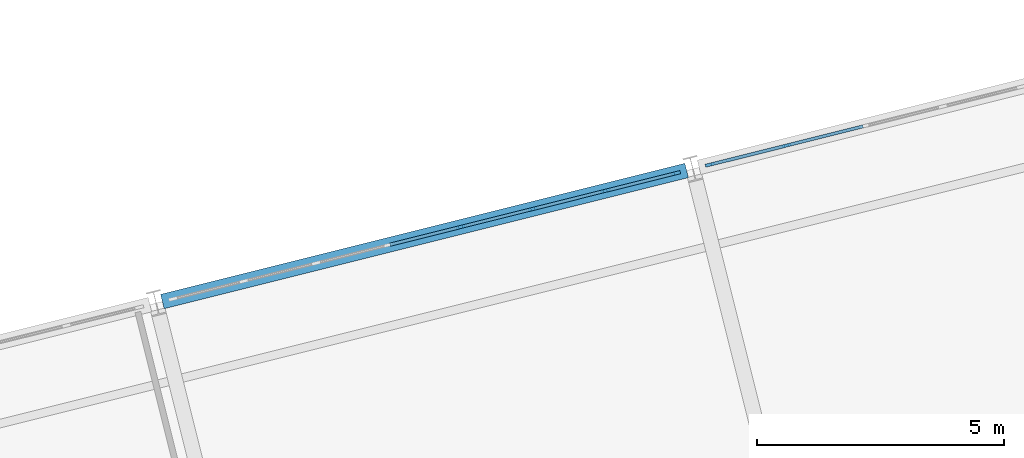
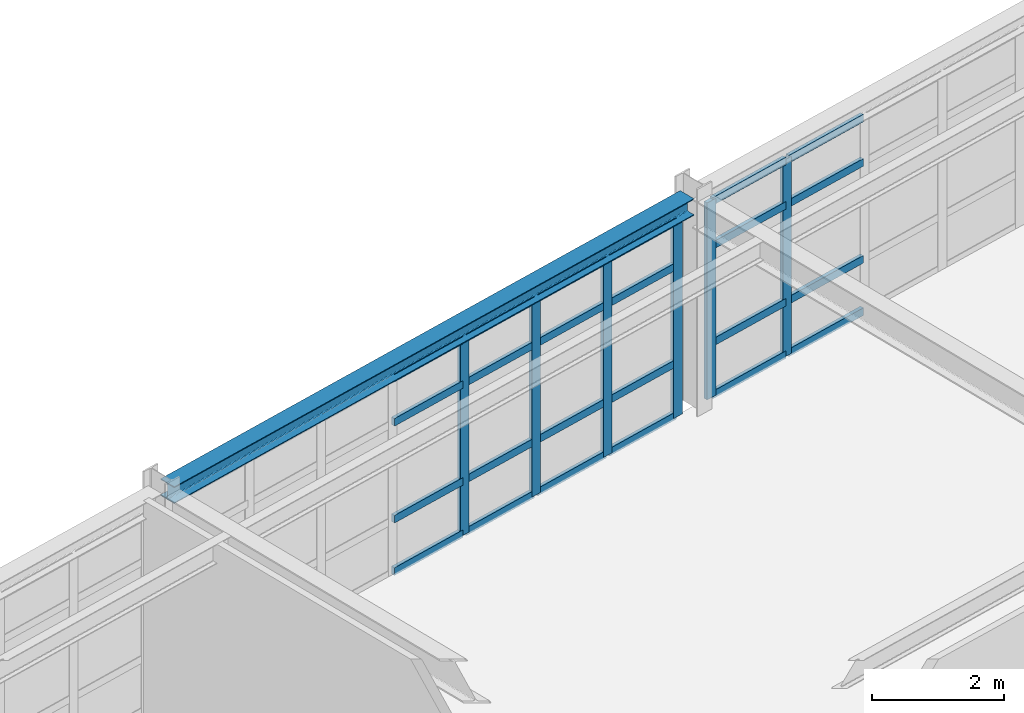
# One storey, part 31 of 88: 30 members, 1 beam, 2 elements without a shape of their own.
"""IFC4 building model written with IfcOpenShell, lengths in metres."""

from ifc_helpers import new_model, si_unit, direction, frame, origin, origin_2d, place, context, subcontext, project, spatial, rectangle, i_section, extrude, material, layer, layer_set, material_profile, profile_set, type_object, element, aggregate, save


model = new_model("IFC4")

# Units and contexts
model_context = context("Model", 3, precision=1e-05, world=origin(), true_north=direction((0.0, 1.0)))
body_context = subcontext(model_context, "Body", "Model", "MODEL_VIEW")
ifc_project = project(units=[si_unit("LENGTHUNIT", "METRE"), si_unit("AREAUNIT", "SQUARE_METRE"), si_unit("VOLUMEUNIT", "CUBIC_METRE"), si_unit("PLANEANGLEUNIT", "RADIAN"), si_unit("MASSUNIT", "GRAM", prefix="KILO")], contexts=[model_context])

# Site, building, storey
site_placement = place(None, origin())
site = spatial("IfcSite", under=ifc_project, at=site_placement, CompositionType="ELEMENT")
building_placement = place(site_placement, origin())
building = spatial("IfcBuilding", under=site, at=building_placement, Name="Nordkorset Police Headquarters", CompositionType="ELEMENT")
storey_placement = place(building_placement, frame((0.0, 0.0, 9.449951171875)))
storey = spatial("IfcBuildingStorey", under=building, at=storey_placement, Name="L02", CompositionType="ELEMENT", Elevation=9.449951171875)

# Curtain wall, members
ifc_material_1 = material(Name="Aluminium alloy AW-6060", Category="aluminium")
ifc_layer_1 = layer(ifc_material_1, 0.179931640625, Name="Aluminium alloy AW-6060")
ifc_layer_set_1 = layer_set([ifc_layer_1], Name="Aluminium alloy AW-6060")
curtain_wall_type_1 = type_object("IfcCurtainWallType", Name="CW_Unit_1056x364", PredefinedType="USERDEFINED", material=ifc_layer_set_1)
curtain_wall_1_placement = place(storey_placement, origin())
curtain_wall_1 = element("IfcCurtainWall", 1, at=curtain_wall_1_placement, inside=storey, type_object=curtain_wall_type_1, Name="Unitised Curtain Wall L02 V4N-3", ObjectType="UNITISED CURTAIN WALL", PredefinedType="USERDEFINED")
ifc_material_2 = material(Name="Aluminium alloy AW-6060", Category="aluminium")
ifc_material_profile_1 = material_profile(ifc_material_2, rectangle(XDim=0.06494140625, YDim=0.179931640625, at=origin_2d()), Name="ALU MULL 65x180")
ifc_profile_set_1 = profile_set([ifc_material_profile_1], Name="Aluminium alloy AW-6060")
member_type_1 = type_object("IfcMemberType", Name="CW_Mullion_65x180", PredefinedType="MULLION", material=ifc_profile_set_1)
member_1_placement = place(storey_placement, frame((54.212158203125, 64.496337890625, 0.0), z_axis=(0.0, 0.0, 1.0), x_axis=(-0.242536070676, 0.970142388735, 0.0)))
member_1 = element("IfcMember", 2, at=member_1_placement, type_object=member_type_1, Name="CW-31 mullion 5", PredefinedType="MULLION", context=body_context, shape_type="SweptSolid", body=[
    extrude(rectangle(XDim=0.06494140625, YDim=0.179931640625, at=origin_2d()), origin(), (0.0, 0.0, 1.0), 3.64013671875),
])
member_2_placement = place(storey_placement, frame((55.67578125, 64.862060546875, 0.0), z_axis=(0.0, 0.0, 1.0), x_axis=(-0.242536070676, 0.970142388735, 0.0)))
member_2 = element("IfcMember", 3, at=member_2_placement, type_object=member_type_1, Name="CW-31 mullion 6", PredefinedType="MULLION", context=body_context, shape_type="SweptSolid", body=[
    extrude(rectangle(XDim=0.06494140625, YDim=0.179931640625, at=origin_2d()), origin(), (0.0, 0.0, 1.0), 3.64013671875),
])
member_3_placement = place(storey_placement, frame((57.13916015625, 65.22802734375, 0.0), z_axis=(0.0, 0.0, 1.0), x_axis=(-0.242536070676, 0.970142388735, 0.0)))
member_3 = element("IfcMember", 4, at=member_3_placement, type_object=member_type_1, Name="CW-31 mullion 7", PredefinedType="MULLION", context=body_context, shape_type="SweptSolid", body=[
    extrude(rectangle(XDim=0.06494140625, YDim=0.179931640625, at=origin_2d()), origin(), (0.0, 0.0, 1.0), 3.64013671875),
])
member_4_placement = place(storey_placement, frame((58.5712890625, 65.5859375, 0.0), z_axis=(0.0, 0.0, 1.0), x_axis=(-0.242536070676, 0.970142388735, 0.0)))
member_4 = element("IfcMember", 5, at=member_4_placement, type_object=member_type_1, Name="CW-31 mullion 8", PredefinedType="MULLION", context=body_context, shape_type="SweptSolid", body=[
    extrude(rectangle(XDim=0.06494140625, YDim=0.179931640625, at=origin_2d()), origin(), (0.0, 0.0, 1.0), 3.64013671875),
])

ifc_material_3 = material(Name="Aluminium alloy AW-6060", Category="aluminium")
ifc_layer_2 = layer(ifc_material_3, 0.179931640625, Name="Aluminium alloy AW-6060")
ifc_layer_set_2 = layer_set([ifc_layer_2], Name="Aluminium alloy AW-6060")
curtain_wall_type_2 = type_object("IfcCurtainWallType", Name="CW_Unit_816x364", PredefinedType="USERDEFINED", material=ifc_layer_set_2)
curtain_wall_2_placement = place(storey_placement, origin())
curtain_wall_2 = element("IfcCurtainWall", 6, at=curtain_wall_2_placement, inside=storey, type_object=curtain_wall_type_2, Name="Unitised Curtain Wall L02 V4N-4", ObjectType="UNITISED CURTAIN WALL", PredefinedType="USERDEFINED")
member_5_placement = place(storey_placement, frame((59.255126953125, 65.757080078125, 0.0), z_axis=(0.0, 0.0, 1.0), x_axis=(-0.242535336683, 0.970142572234, 0.0)))
member_5 = element("IfcMember", 7, at=member_5_placement, type_object=member_type_1, Name="CW-64 mullion 1", PredefinedType="MULLION", context=body_context, shape_type="SweptSolid", body=[
    extrude(rectangle(XDim=0.06494140625, YDim=0.179931640625, at=origin_2d()), origin(), (0.0, 0.0, 1.0), 3.64013671875),
])
member_6_placement = place(storey_placement, frame((60.806884765625, 66.14501953125, 0.0), z_axis=(0.0, 0.0, 1.0), x_axis=(-0.242535336683, 0.970142572234, 0.0)))
member_6 = element("IfcMember", 8, at=member_6_placement, type_object=member_type_1, Name="CW-64 mullion 2", PredefinedType="MULLION", context=body_context, shape_type="SweptSolid", body=[
    extrude(rectangle(XDim=0.06494140625, YDim=0.179931640625, at=origin_2d()), origin(), (0.0, 0.0, 1.0), 3.64013671875),
])

# Member
ifc_material_4 = material(Name="Aluminium alloy AW-6060", Category="aluminium")
ifc_material_profile_2 = material_profile(ifc_material_4, rectangle(XDim=0.06494140625, YDim=0.139892578125, at=origin_2d()), Name="ALU TRAN 65x140")
ifc_profile_set_2 = profile_set([ifc_material_profile_2], Name="Aluminium alloy AW-6060")
member_type_2 = type_object("IfcMemberType", Name="CW_Transom_65x140", PredefinedType="USERDEFINED", material=ifc_profile_set_2)
member_7_placement = place(storey_placement, frame((52.7802734375, 64.13818359375, 0.032470703125), z_axis=(0.970142500145, 0.242535625036, 0.0), x_axis=(-0.242535625036, 0.970142500145, 0.0)))
member_7 = element("IfcMember", 9, at=member_7_placement, type_object=member_type_2, Name="CW-31 transom 4.1", ObjectType="TRANSOM", PredefinedType="USERDEFINED", context=body_context, shape_type="SweptSolid", body=[
    extrude(rectangle(XDim=0.06494140625, YDim=0.139892578125, at=origin_2d()), origin(), (0.0, 0.0, 1.0), 1.443603515625),
])

member_8_placement = place(storey_placement, frame((52.7802734375, 64.13818359375, 1.0), z_axis=(0.970142500145, 0.242535625036, 0.0), x_axis=(-0.242535625036, 0.970142500145, 0.0)))
member_8 = element("IfcMember", 10, at=member_8_placement, type_object=member_type_2, Name="CW-31 transom 4.2", ObjectType="TRANSOM", PredefinedType="USERDEFINED", context=body_context, shape_type="SweptSolid", body=[
    extrude(rectangle(XDim=0.06494140625, YDim=0.139892578125, at=origin_2d()), origin(), (0.0, 0.0, 1.0), 1.443603515625),
])

member_9_placement = place(storey_placement, frame((52.7802734375, 64.13818359375, 2.7900390625), z_axis=(0.970142500145, 0.242535625036, 0.0), x_axis=(-0.242535625036, 0.970142500145, 0.0)))
member_9 = element("IfcMember", 11, at=member_9_placement, type_object=member_type_2, Name="CW-31 transom 4.3", ObjectType="TRANSOM", PredefinedType="USERDEFINED", context=body_context, shape_type="SweptSolid", body=[
    extrude(rectangle(XDim=0.06494140625, YDim=0.139892578125, at=origin_2d()), origin(), (0.0, 0.0, 1.0), 1.443603515625),
])

member_10_placement = place(storey_placement, frame((52.7802734375, 64.13818359375, 3.607666015625), z_axis=(0.970142500145, 0.242535625036, 0.0), x_axis=(-0.242535625036, 0.970142500145, 0.0)))
member_10 = element("IfcMember", 12, at=member_10_placement, type_object=member_type_2, Name="CW-31 transom 4.4", ObjectType="TRANSOM", PredefinedType="USERDEFINED", context=body_context, shape_type="SweptSolid", body=[
    extrude(rectangle(XDim=0.06494140625, YDim=0.139892578125, at=origin_2d()), origin(), (0.0, 0.0, 1.0), 1.443603515625),
])

member_11_placement = place(storey_placement, frame((54.24365234375, 64.504150390625, 0.032470703125), z_axis=(0.970142500145, 0.242535625036, 0.0), x_axis=(-0.242535625036, 0.970142500145, 0.0)))
member_11 = element("IfcMember", 13, at=member_11_placement, type_object=member_type_2, Name="CW-31 transom 5.1", ObjectType="TRANSOM", PredefinedType="USERDEFINED", context=body_context, shape_type="SweptSolid", body=[
    extrude(rectangle(XDim=0.06494140625, YDim=0.139892578125, at=origin_2d()), origin(), (0.0, 0.0, 1.0), 1.443603515625),
])

member_12_placement = place(storey_placement, frame((54.24365234375, 64.504150390625, 1.0), z_axis=(0.970142500145, 0.242535625036, 0.0), x_axis=(-0.242535625036, 0.970142500145, 0.0)))
member_12 = element("IfcMember", 14, at=member_12_placement, type_object=member_type_2, Name="CW-31 transom 5.2", ObjectType="TRANSOM", PredefinedType="USERDEFINED", context=body_context, shape_type="SweptSolid", body=[
    extrude(rectangle(XDim=0.06494140625, YDim=0.139892578125, at=origin_2d()), origin(), (0.0, 0.0, 1.0), 1.443603515625),
])

member_13_placement = place(storey_placement, frame((54.24365234375, 64.504150390625, 2.7900390625), z_axis=(0.970142500145, 0.242535625036, 0.0), x_axis=(-0.242535625036, 0.970142500145, 0.0)))
member_13 = element("IfcMember", 15, at=member_13_placement, type_object=member_type_2, Name="CW-31 transom 5.3", ObjectType="TRANSOM", PredefinedType="USERDEFINED", context=body_context, shape_type="SweptSolid", body=[
    extrude(rectangle(XDim=0.06494140625, YDim=0.139892578125, at=origin_2d()), origin(), (0.0, 0.0, 1.0), 1.443603515625),
])

member_14_placement = place(storey_placement, frame((54.24365234375, 64.504150390625, 3.607666015625), z_axis=(0.970142500145, 0.242535625036, 0.0), x_axis=(-0.242535625036, 0.970142500145, 0.0)))
member_14 = element("IfcMember", 16, at=member_14_placement, type_object=member_type_2, Name="CW-31 transom 5.4", ObjectType="TRANSOM", PredefinedType="USERDEFINED", context=body_context, shape_type="SweptSolid", body=[
    extrude(rectangle(XDim=0.06494140625, YDim=0.139892578125, at=origin_2d()), origin(), (0.0, 0.0, 1.0), 1.443603515625),
])

member_15_placement = place(storey_placement, frame((55.707275390625, 64.869873046875, 0.032470703125), z_axis=(0.9701026929, 0.24269479852, 0.0), x_axis=(-0.24269479852, 0.9701026929, 0.0)))
member_15 = element("IfcMember", 17, at=member_15_placement, type_object=member_type_2, Name="CW-31 transom 6.1", ObjectType="TRANSOM", PredefinedType="USERDEFINED", context=body_context, shape_type="SweptSolid", body=[
    extrude(rectangle(XDim=0.06494140625, YDim=0.139892578125, at=origin_2d()), origin(), (0.0, 0.0, 1.0), 1.443603515625),
])

member_16_placement = place(storey_placement, frame((55.707275390625, 64.869873046875, 1.0), z_axis=(0.9701026929, 0.24269479852, 0.0), x_axis=(-0.24269479852, 0.9701026929, 0.0)))
member_16 = element("IfcMember", 18, at=member_16_placement, type_object=member_type_2, Name="CW-31 transom 6.2", ObjectType="TRANSOM", PredefinedType="USERDEFINED", context=body_context, shape_type="SweptSolid", body=[
    extrude(rectangle(XDim=0.06494140625, YDim=0.139892578125, at=origin_2d()), origin(), (0.0, 0.0, 1.0), 1.443603515625),
])

member_17_placement = place(storey_placement, frame((55.707275390625, 64.869873046875, 2.7900390625), z_axis=(0.9701026929, 0.24269479852, 0.0), x_axis=(-0.24269479852, 0.9701026929, 0.0)))
member_17 = element("IfcMember", 19, at=member_17_placement, type_object=member_type_2, Name="CW-31 transom 6.3", ObjectType="TRANSOM", PredefinedType="USERDEFINED", context=body_context, shape_type="SweptSolid", body=[
    extrude(rectangle(XDim=0.06494140625, YDim=0.139892578125, at=origin_2d()), origin(), (0.0, 0.0, 1.0), 1.443603515625),
])

member_18_placement = place(storey_placement, frame((55.707275390625, 64.869873046875, 3.607666015625), z_axis=(0.9701026929, 0.24269479852, 0.0), x_axis=(-0.24269479852, 0.9701026929, 0.0)))
member_18 = element("IfcMember", 20, at=member_18_placement, type_object=member_type_2, Name="CW-31 transom 6.4", ObjectType="TRANSOM", PredefinedType="USERDEFINED", context=body_context, shape_type="SweptSolid", body=[
    extrude(rectangle(XDim=0.06494140625, YDim=0.139892578125, at=origin_2d()), origin(), (0.0, 0.0, 1.0), 1.443603515625),
])

member_19_placement = place(storey_placement, frame((57.170654296875, 65.23583984375, 0.032470703125), z_axis=(0.970142500145, 0.242535625036, 0.0), x_axis=(-0.242535625036, 0.970142500145, 0.0)))
member_19 = element("IfcMember", 21, at=member_19_placement, type_object=member_type_2, Name="CW-31 transom 7.1", ObjectType="TRANSOM", PredefinedType="USERDEFINED", context=body_context, shape_type="SweptSolid", body=[
    extrude(rectangle(XDim=0.06494140625, YDim=0.139892578125, at=origin_2d()), origin(), (0.0, 0.0, 1.0), 1.411376953125),
])

member_20_placement = place(storey_placement, frame((57.170654296875, 65.23583984375, 1.0), z_axis=(0.970142500145, 0.242535625036, 0.0), x_axis=(-0.242535625036, 0.970142500145, 0.0)))
member_20 = element("IfcMember", 22, at=member_20_placement, type_object=member_type_2, Name="CW-31 transom 7.2", ObjectType="TRANSOM", PredefinedType="USERDEFINED", context=body_context, shape_type="SweptSolid", body=[
    extrude(rectangle(XDim=0.06494140625, YDim=0.139892578125, at=origin_2d()), origin(), (0.0, 0.0, 1.0), 1.411376953125),
])

member_21_placement = place(storey_placement, frame((57.170654296875, 65.23583984375, 2.7900390625), z_axis=(0.970142500145, 0.242535625036, 0.0), x_axis=(-0.242535625036, 0.970142500145, 0.0)))
member_21 = element("IfcMember", 23, at=member_21_placement, type_object=member_type_2, Name="CW-31 transom 7.3", ObjectType="TRANSOM", PredefinedType="USERDEFINED", context=body_context, shape_type="SweptSolid", body=[
    extrude(rectangle(XDim=0.06494140625, YDim=0.139892578125, at=origin_2d()), origin(), (0.0, 0.0, 1.0), 1.411376953125),
])

member_22_placement = place(storey_placement, frame((57.170654296875, 65.23583984375, 3.607666015625), z_axis=(0.970142500145, 0.242535625036, 0.0), x_axis=(-0.242535625036, 0.970142500145, 0.0)))
member_22 = element("IfcMember", 24, at=member_22_placement, type_object=member_type_2, Name="CW-31 transom 7.4", ObjectType="TRANSOM", PredefinedType="USERDEFINED", context=body_context, shape_type="SweptSolid", body=[
    extrude(rectangle(XDim=0.06494140625, YDim=0.139892578125, at=origin_2d()), origin(), (0.0, 0.0, 1.0), 1.411376953125),
])

aggregate(curtain_wall_1, [member_1, member_2, member_3, member_4, member_7, member_8, member_9, member_10, member_11, member_12, member_13, member_14, member_15, member_16, member_17, member_18, member_19, member_20, member_21, member_22])

member_23_placement = place(storey_placement, frame((59.28662109375, 65.764892578125, 0.032470703125), z_axis=(0.970161214313, 0.242460756086, 0.0), x_axis=(-0.242460756086, 0.970161214313, 0.0)))
member_23 = element("IfcMember", 25, at=member_23_placement, type_object=member_type_2, Name="CW-64 transom 1.1", ObjectType="TRANSOM", PredefinedType="USERDEFINED", context=body_context, shape_type="SweptSolid", body=[
    extrude(rectangle(XDim=0.06494140625, YDim=0.139892578125, at=origin_2d()), origin(), (0.0, 0.0, 1.0), 1.53466796875),
])

member_24_placement = place(storey_placement, frame((59.28662109375, 65.764892578125, 1.0), z_axis=(0.970161214313, 0.242460756086, 0.0), x_axis=(-0.242460756086, 0.970161214313, 0.0)))
member_24 = element("IfcMember", 26, at=member_24_placement, type_object=member_type_2, Name="CW-64 transom 1.2", ObjectType="TRANSOM", PredefinedType="USERDEFINED", context=body_context, shape_type="SweptSolid", body=[
    extrude(rectangle(XDim=0.06494140625, YDim=0.139892578125, at=origin_2d()), origin(), (0.0, 0.0, 1.0), 1.53466796875),
])

member_25_placement = place(storey_placement, frame((59.28662109375, 65.764892578125, 2.7900390625), z_axis=(0.970161214313, 0.242460756086, 0.0), x_axis=(-0.242460756086, 0.970161214313, 0.0)))
member_25 = element("IfcMember", 27, at=member_25_placement, type_object=member_type_2, Name="CW-64 transom 1.3", ObjectType="TRANSOM", PredefinedType="USERDEFINED", context=body_context, shape_type="SweptSolid", body=[
    extrude(rectangle(XDim=0.06494140625, YDim=0.139892578125, at=origin_2d()), origin(), (0.0, 0.0, 1.0), 1.53466796875),
])

member_26_placement = place(storey_placement, frame((59.28662109375, 65.764892578125, 3.607666015625), z_axis=(0.970161214313, 0.242460756086, 0.0), x_axis=(-0.242460756086, 0.970161214313, 0.0)))
member_26 = element("IfcMember", 28, at=member_26_placement, type_object=member_type_2, Name="CW-64 transom 1.4", ObjectType="TRANSOM", PredefinedType="USERDEFINED", context=body_context, shape_type="SweptSolid", body=[
    extrude(rectangle(XDim=0.06494140625, YDim=0.139892578125, at=origin_2d()), origin(), (0.0, 0.0, 1.0), 1.53466796875),
])

member_27_placement = place(storey_placement, frame((60.83837890625, 66.15283203125, 0.032470703125), z_axis=(0.970133335061, 0.24257228243, 0.0), x_axis=(-0.24257228243, 0.970133335061, 0.0)))
member_27 = element("IfcMember", 29, at=member_27_placement, type_object=member_type_2, Name="CW-64 transom 2.1", ObjectType="TRANSOM", PredefinedType="USERDEFINED", context=body_context, shape_type="SweptSolid", body=[
    extrude(rectangle(XDim=0.06494140625, YDim=0.139892578125, at=origin_2d()), origin(), (0.0, 0.0, 1.0), 1.567138671875),
])

member_28_placement = place(storey_placement, frame((60.83837890625, 66.15283203125, 1.0), z_axis=(0.970133335061, 0.24257228243, 0.0), x_axis=(-0.24257228243, 0.970133335061, 0.0)))
member_28 = element("IfcMember", 30, at=member_28_placement, type_object=member_type_2, Name="CW-64 transom 2.2", ObjectType="TRANSOM", PredefinedType="USERDEFINED", context=body_context, shape_type="SweptSolid", body=[
    extrude(rectangle(XDim=0.06494140625, YDim=0.139892578125, at=origin_2d()), origin(), (0.0, 0.0, 1.0), 1.567138671875),
])

member_29_placement = place(storey_placement, frame((60.83837890625, 66.15283203125, 2.7900390625), z_axis=(0.970133335061, 0.24257228243, 0.0), x_axis=(-0.24257228243, 0.970133335061, 0.0)))
member_29 = element("IfcMember", 31, at=member_29_placement, type_object=member_type_2, Name="CW-64 transom 2.3", ObjectType="TRANSOM", PredefinedType="USERDEFINED", context=body_context, shape_type="SweptSolid", body=[
    extrude(rectangle(XDim=0.06494140625, YDim=0.139892578125, at=origin_2d()), origin(), (0.0, 0.0, 1.0), 1.567138671875),
])

member_30_placement = place(storey_placement, frame((60.83837890625, 66.15283203125, 3.607666015625), z_axis=(0.970133335061, 0.24257228243, 0.0), x_axis=(-0.24257228243, 0.970133335061, 0.0)))
member_30 = element("IfcMember", 32, at=member_30_placement, type_object=member_type_2, Name="CW-64 transom 2.4", ObjectType="TRANSOM", PredefinedType="USERDEFINED", context=body_context, shape_type="SweptSolid", body=[
    extrude(rectangle(XDim=0.06494140625, YDim=0.139892578125, at=origin_2d()), origin(), (0.0, 0.0, 1.0), 1.567138671875),
])

aggregate(curtain_wall_2, [member_5, member_6, member_23, member_24, member_25, member_26, member_27, member_28, member_29, member_30])

# Beam
ifc_material_5 = material(Name="Steel S355J2", Category="steel")
ifc_material_profile_3 = material_profile(ifc_material_5, i_section(OverallWidth=0.300048828125, OverallDepth=0.31005859375, WebThickness=0.009033203125, FlangeThickness=0.015380859375, FilletRadius=0.027099609375, at=origin_2d()), Name="HEA 320")
ifc_profile_set_3 = profile_set([ifc_material_profile_3], Name="Steel S355J2")
beam_type = type_object("IfcBeamType", Name="Spandrel_HEA_320", PredefinedType="SPANDREL", material=ifc_profile_set_3)
beam_placement = place(storey_placement, frame((48.173828125, 62.986572265625, 3.81494140625), z_axis=(0.970142500145, 0.242535625036, 0.0), x_axis=(-0.242535625036, 0.970142500145, 0.0)))
element("IfcBeam", 33, at=beam_placement, inside=storey, type_object=beam_type, Name="Splayed Wing Spandrel L02 3-1", PredefinedType="SPANDREL", context=body_context, shape_type="SweptSolid", body=[
    extrude(i_section(OverallWidth=0.300048828125, OverallDepth=0.31005859375, WebThickness=0.009033203125, FlangeThickness=0.015380859375, FilletRadius=0.027099609375, at=origin_2d()), origin(), (0.0, 0.0, 1.0), 10.93994140625),
])

save(model, "model.ifc")
